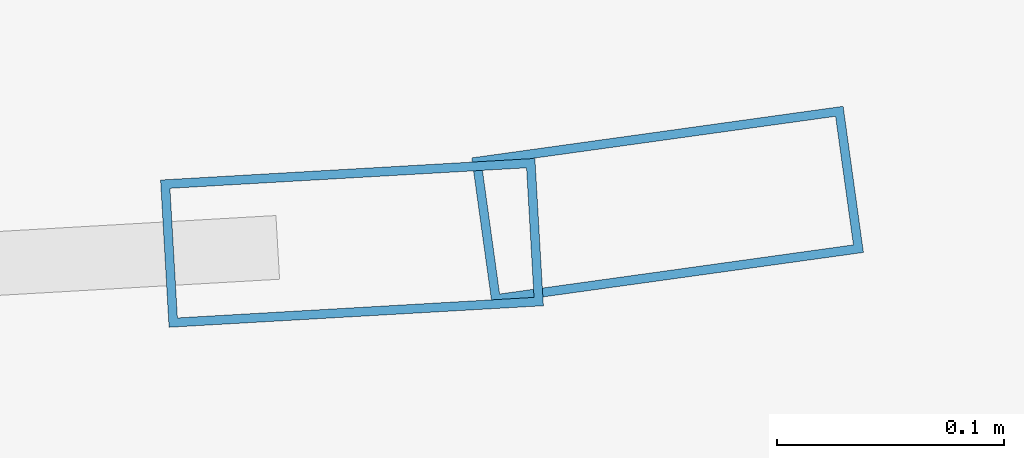
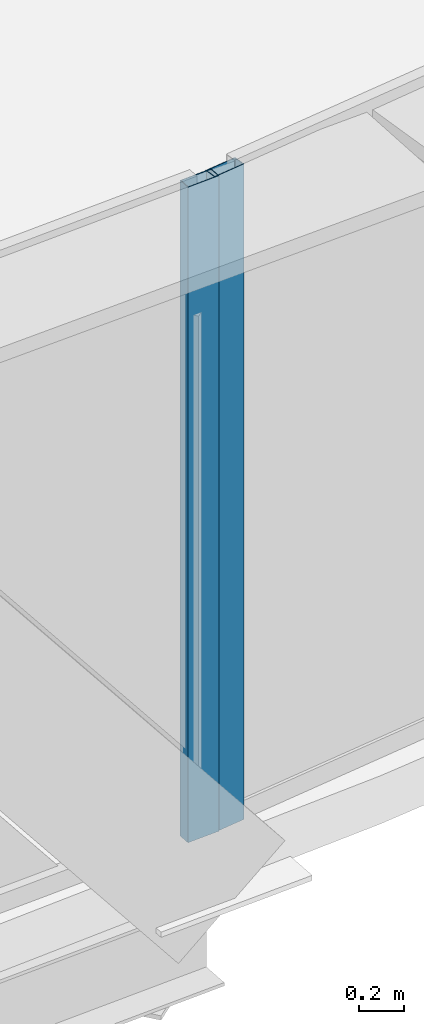
# One storey, part 12 of 38: 2 members, 2 elements without a shape of their own.
"""IFC4 building model written with IfcOpenShell, lengths in metres."""

from ifc_helpers import new_model, si_unit, direction, frame, origin, origin_2d, place, context, subcontext, project, spatial, hollow_rectangle, extrude, source, transform, mapped, material, layer, layer_set, material_profile, profile_set, type_object, element, aggregate, save


model = new_model("IFC4")

# Units and contexts
model_context = context("Model", 3, precision=1e-05, world=origin(), true_north=direction((0.0, 1.0)))
body_context = subcontext(model_context, "Body", "Model", "MODEL_VIEW")
ifc_project = project(units=[si_unit("LENGTHUNIT", "METRE"), si_unit("AREAUNIT", "SQUARE_METRE"), si_unit("VOLUMEUNIT", "CUBIC_METRE"), si_unit("PLANEANGLEUNIT", "RADIAN"), si_unit("MASSUNIT", "GRAM", prefix="KILO"), si_unit("THERMODYNAMICTEMPERATUREUNIT", "KELVIN"), si_unit("POWERUNIT", "WATT")], contexts=[model_context])

# Site, building, storey
site_placement = place(None, origin())
site = spatial("IfcSite", under=ifc_project, at=site_placement, CompositionType="ELEMENT")
building_placement = place(site_placement, origin())
building = spatial("IfcBuilding", under=site, at=building_placement, Name="Yunzhuo Pagoda Commons", CompositionType="ELEMENT")
storey_placement = place(building_placement, frame((0.0, 0.0, 81.179931640625)))
storey = spatial("IfcBuildingStorey", under=building, at=storey_placement, Name="L20", CompositionType="ELEMENT", Elevation=81.179931640625)

# Curtain wall, member
ifc_material = material(Name="Anodized aluminium 6063-T6", Category="aluminium")
ifc_layer = layer(ifc_material, 0.1650390625)
ifc_layer_set = layer_set([ifc_layer], Name="Anodized aluminium 6063-T6")
curtain_wall_type = type_object("IfcCurtainWallType", Name="CW-LOW Low-Zone Ribbon Curtain Wall", PredefinedType="NOTDEFINED", material=ifc_layer_set)
curtain_wall_1_placement = place(storey_placement, origin())
curtain_wall_1 = element("IfcCurtainWall", 1, at=curtain_wall_1_placement, inside=storey, type_object=curtain_wall_type, Name="L20 curtain wall CW-L20-F1B4", PredefinedType="NOTDEFINED")
ifc_material_profile = material_profile(ifc_material, hollow_rectangle(XDim=0.06494140625, YDim=0.1650390625, WallThickness=0.00390625, at=origin_2d()), Name="Anodized aluminium 6063-T6")
ifc_profile_set = profile_set([ifc_material_profile], Name="Anodized aluminium 6063-T6")
member_type = type_object("IfcMemberType", Name="CW-LOW-M Mullion RHS 165x65x4", PredefinedType="MULLION", material=ifc_profile_set)
shared_shape = source(origin(), body_context, "Body", "SweptSolid", [
    extrude(hollow_rectangle(XDim=0.06494140625, YDim=0.1650390625, WallThickness=0.00390625, at=origin_2d()), origin(), (0.0, 0.0, 1.0), 3.5400390625),
])
member_1_placement = place(storey_placement, frame((65.929931640625, 12.291748046875, 0.0), z_axis=(0.0, 0.0, 1.0), x_axis=(-0.057418382325, 0.998350203772, 0.0)))
member_1 = element("IfcMember", 2, at=member_1_placement, type_object=member_type, Name="CW mullion 2", PredefinedType="MULLION", context=body_context, shape_type="MappedRepresentation", body=[
    mapped(shared_shape, transform((0.0, 0.0, 0.0), scale=1.0)),
])
aggregate(curtain_wall_1, [member_1])

curtain_wall_2_placement = place(storey_placement, origin())
curtain_wall_2 = element("IfcCurtainWall", 3, at=curtain_wall_2_placement, inside=storey, type_object=curtain_wall_type, Name="L20 curtain wall CW-L20-F1B5", PredefinedType="NOTDEFINED")
member_2_placement = place(storey_placement, frame((66.06884765625, 12.308349609375, 0.0), z_axis=(0.0, 0.0, 1.0), x_axis=(-0.137495700118, 0.990502363677, 0.0)))
member_2 = element("IfcMember", 4, at=member_2_placement, type_object=member_type, Name="CW mullion 1", PredefinedType="MULLION", context=body_context, shape_type="MappedRepresentation", body=[
    mapped(shared_shape, transform((0.0, 0.0, 0.0), scale=1.0)),
])
aggregate(curtain_wall_2, [member_2])

save(model, "model.ifc")
